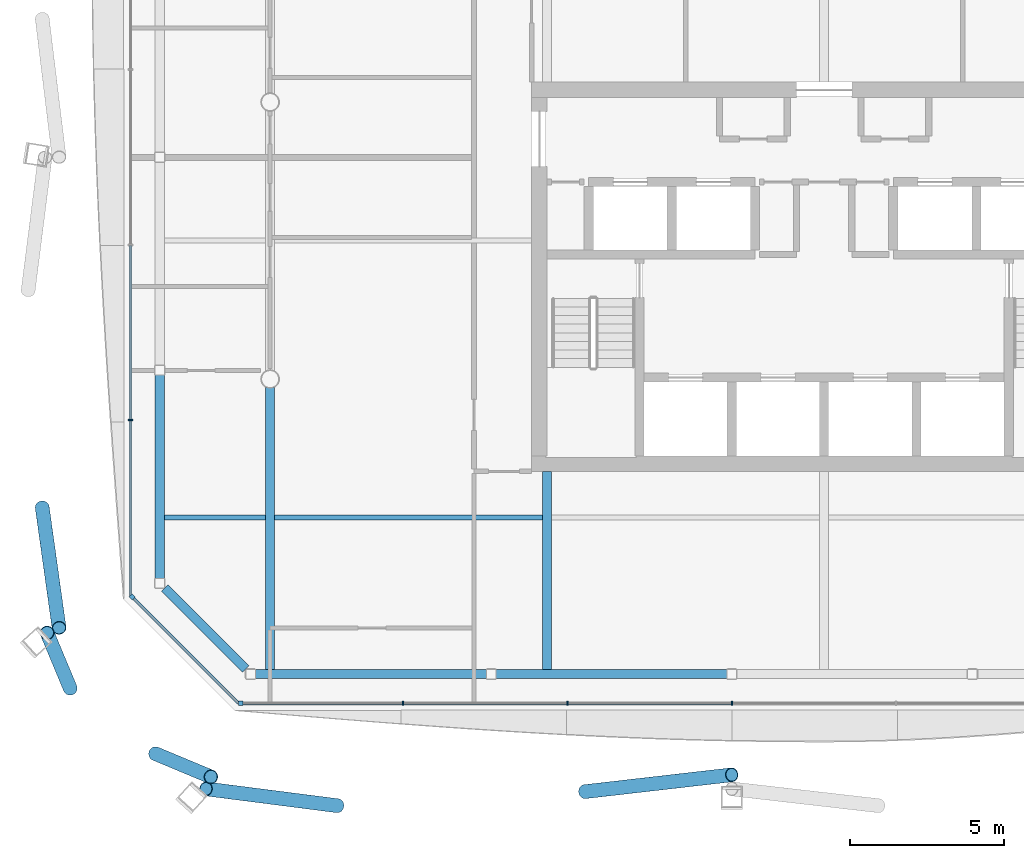
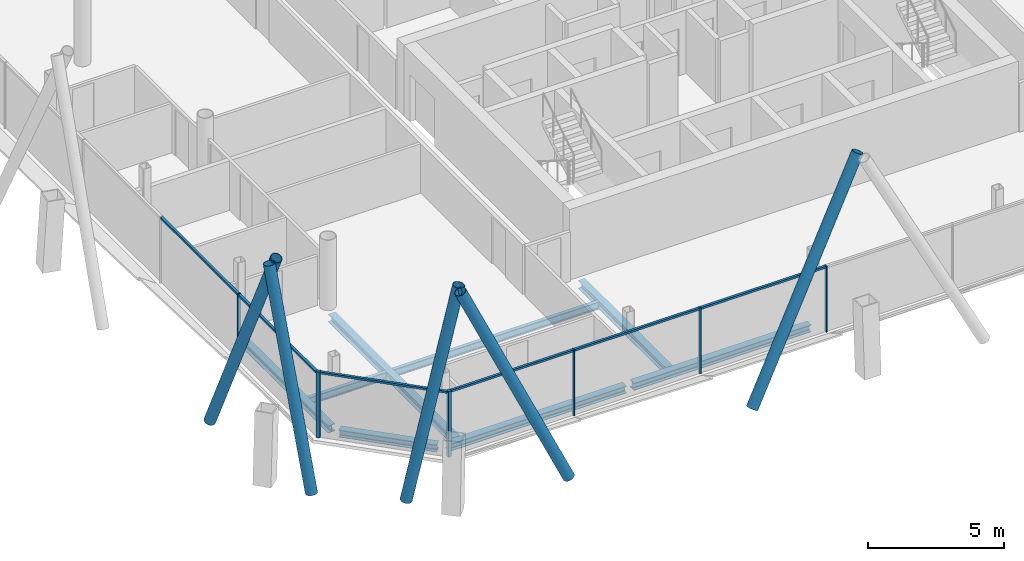
# One storey, part 4 of 20: 17 members, 8 beams, 3 elements without a shape of their own.
"""IFC4 building model written with IfcOpenShell, lengths in metres."""

from ifc_helpers import new_model, si_unit, direction, frame, origin, origin_2d, place, context, subcontext, project, spatial, rectangle, hollow_circle, i_section, extrude, material, material_profile, profile_set, type_object, element, aggregate, save


model = new_model("IFC4")

# Units and contexts
model_context = context("Model", 3, precision=1e-05, world=origin(), true_north=direction((0.0, 1.0)))
body_context = subcontext(model_context, "Body", "Model", "MODEL_VIEW")
ifc_project = project(units=[si_unit("LENGTHUNIT", "METRE"), si_unit("AREAUNIT", "SQUARE_METRE"), si_unit("VOLUMEUNIT", "CUBIC_METRE"), si_unit("PLANEANGLEUNIT", "RADIAN"), si_unit("MASSUNIT", "GRAM", prefix="KILO")], contexts=[model_context])

# Site, building, storey
site_placement = place(None, origin())
site = spatial("IfcSite", under=ifc_project, at=site_placement, CompositionType="ELEMENT")
building_placement = place(site_placement, origin())
building = spatial("IfcBuilding", under=site, at=building_placement, Name="Tskaro Facet Tower", CompositionType="ELEMENT")
storey_placement = place(building_placement, frame((0.0, 0.0, 200.550048828125)))
storey = spatial("IfcBuildingStorey", under=building, at=storey_placement, Name="L51", CompositionType="ELEMENT", Elevation=200.550048828125)

# Members
ifc_material_1 = material(Name="Steel S355J2H", Category="steel")
ifc_material_profile_1 = material_profile(ifc_material_1, hollow_circle(Radius=0.228515625, WallThickness=0.02001953125, at=origin_2d()), Name="CHS 457x20")
ifc_profile_set_1 = profile_set([ifc_material_profile_1], Name="Steel S355J2H")
member_type_1 = type_object("IfcMemberType", Name="CHS 457x20 brace", PredefinedType="BRACE", material=ifc_profile_set_1)
member_1_placement = place(storey_placement, frame((-7.771240234375, -22.404296875, 0.0), z_axis=(0.450104080643, 0.051682625849, 0.891479232946), x_axis=(-0.114074179763, 0.993472234897, 0.0)))
element("IfcMember", 1, at=member_1_placement, inside=storey, type_object=member_type_1, Name="CHS 457x20 XB01A/4", PredefinedType="BRACE", context=body_context, shape_type="SweptSolid", body=[
    extrude(hollow_circle(Radius=0.228515625, WallThickness=0.02001953125, at=origin_2d()), origin(), (0.0, 0.0, 1.0), 10.600341796875),
])
member_2_placement = place(storey_placement, frame((-15.81298828125, -22.861328125, 0.0), z_axis=(-0.411275595577, 0.05275536964, 0.909983107237), x_axis=(-0.127230108752, -0.991873227498, 0.0)))
element("IfcMember", 2, at=member_2_placement, inside=storey, type_object=member_type_1, Name="CHS 457x20 XB01B/4", PredefinedType="BRACE", context=body_context, shape_type="SweptSolid", body=[
    extrude(hollow_circle(Radius=0.228515625, WallThickness=0.02001953125, at=origin_2d()), origin(), (0.0, 0.0, 1.0), 10.384765625),
])
member_3_placement = place(storey_placement, frame((-25.404296875, -13.17138671875, 0.0), z_axis=(0.053487730814, -0.381993927816, 0.92261568476), x_axis=(0.990338691799, 0.138669663322, 0.0)))
element("IfcMember", 3, at=member_3_placement, inside=storey, type_object=member_type_1, Name="CHS 457x20 XB11A/4", PredefinedType="BRACE", context=body_context, shape_type="SweptSolid", body=[
    extrude(hollow_circle(Radius=0.228515625, WallThickness=0.02001953125, at=origin_2d()), origin(), (0.0, 0.0, 1.0), 10.24267578125),
])
for number, where, z_axis, x_axis, name in (
    (4, (-21.720458984375, -21.17333984375, 0.0), (0.186356452478, -0.077730756553, 0.979402471972), (0.384962378812, 0.922932265608, 0.0), "CHS 457x20 XB12A/4"),
    (5, (-24.49658203125, -19.04345703125, 0.0), (-0.07773112306, 0.186332028065, 0.97940708994), (-0.922913691455, -0.385006906593, 0.0), "CHS 457x20 XB12B/4"),
):
    element("IfcMember", number, at=place(storey_placement, frame(where, z_axis=z_axis, x_axis=x_axis)), inside=storey, type_object=member_type_1, Name=name, PredefinedType="BRACE", context=body_context, shape_type="SweptSolid", body=[
        extrude(hollow_circle(Radius=0.228515625, WallThickness=0.02001953125, at=origin_2d()), origin(), (0.0, 0.0, 1.0), 9.648681640625),
    ])

# Curtain wall, member
ifc_material_2 = material(Name="Bronze anodised aluminium 6063-T6", Category="aluminium")
curtain_wall_type = type_object("IfcCurtainWallType", Name="Bronze residence curtain wall (FW3)", PredefinedType="NOTDEFINED", material=ifc_material_2)
curtain_wall_1_placement = place(storey_placement, origin())
curtain_wall_1 = element("IfcCurtainWall", 6, at=curtain_wall_1_placement, inside=storey, type_object=curtain_wall_type, Name="FW3 south facet L51", PredefinedType="NOTDEFINED")
ifc_material_profile_2 = material_profile(ifc_material_2, rectangle(XDim=0.139892578125, YDim=0.139892578125, at=origin_2d()), Name="Corner post 140x140")
ifc_profile_set_2 = profile_set([ifc_material_profile_2], Name="Bronze anodised aluminium 6063-T6")
member_type_2 = type_object("IfcMemberType", Name="FW3 bronze corner post 140x140", PredefinedType="MULLION", material=ifc_profile_set_2)
member_4_placement = place(storey_placement, frame((-18.9560546875, -19.532958984375, 0.0), z_axis=(0.0, 0.0, 1.0), x_axis=(1.0, 0.0, 0.0)))
member_4 = element("IfcMember", 7, at=member_4_placement, type_object=member_type_2, Name="FW3 south corner post", PredefinedType="MULLION", context=body_context, shape_type="SweptSolid", body=[
    extrude(rectangle(XDim=0.139892578125, YDim=0.139892578125, at=origin_2d()), origin(), (0.0, 0.0, 1.0), 2.949951171875),
])

curtain_wall_2_placement = place(storey_placement, origin())
curtain_wall_2 = element("IfcCurtainWall", 8, at=curtain_wall_2_placement, inside=storey, type_object=curtain_wall_type, Name="FW3 south-west facet L51", PredefinedType="NOTDEFINED")
member_5_placement = place(storey_placement, frame((-22.4833984375, -16.075439453125, 0.0), z_axis=(0.0, 0.0, 1.0), x_axis=(0.707106781187, -0.707106781187, 0.0)))
member_5 = element("IfcMember", 9, at=member_5_placement, type_object=member_type_2, Name="FW3 south-west corner post", PredefinedType="MULLION", context=body_context, shape_type="SweptSolid", body=[
    extrude(rectangle(XDim=0.139892578125, YDim=0.139892578125, at=origin_2d()), origin(), (0.0, 0.0, 1.0), 2.949951171875),
])

# Member
ifc_material_profile_3 = material_profile(ifc_material_2, rectangle(XDim=0.050048828125, YDim=0.139892578125, at=origin_2d()), Name="Mullion 50x140")
ifc_profile_set_3 = profile_set([ifc_material_profile_3], Name="Bronze anodised aluminium 6063-T6")
member_type_3 = type_object("IfcMemberType", Name="FW3 bronze mullion 50x140", PredefinedType="MULLION", material=ifc_profile_set_3)
member_6_placement = place(storey_placement, frame((-13.68408203125, -19.532958984375, 0.0), z_axis=(0.0, 0.0, 1.0), x_axis=(1.0, 0.0, 0.0)))
member_6 = element("IfcMember", 10, at=member_6_placement, type_object=member_type_3, Name="FW3 south mullion 1", PredefinedType="MULLION", context=body_context, shape_type="SweptSolid", body=[
    extrude(rectangle(XDim=0.050048828125, YDim=0.139892578125, at=origin_2d()), origin(), (0.0, 0.0, 1.0), 2.949951171875),
])

member_7_placement = place(storey_placement, frame((-8.342041015625, -19.532958984375, 0.0), z_axis=(0.0, 0.0, 1.0), x_axis=(1.0, 0.0, 0.0)))
member_7 = element("IfcMember", 11, at=member_7_placement, type_object=member_type_3, Name="FW3 south mullion 2", PredefinedType="MULLION", context=body_context, shape_type="SweptSolid", body=[
    extrude(rectangle(XDim=0.050048828125, YDim=0.139892578125, at=origin_2d()), origin(), (0.0, 0.0, 1.0), 2.949951171875),
])

member_8_placement = place(storey_placement, frame((-3.0, -19.532958984375, 0.0), z_axis=(0.0, 0.0, 1.0), x_axis=(1.0, 0.0, 0.0)))
member_8 = element("IfcMember", 12, at=member_8_placement, type_object=member_type_3, Name="FW3 south mullion 3", PredefinedType="MULLION", context=body_context, shape_type="SweptSolid", body=[
    extrude(rectangle(XDim=0.050048828125, YDim=0.139892578125, at=origin_2d()), origin(), (0.0, 0.0, 1.0), 2.949951171875),
])

# Curtain wall, member
curtain_wall_3_placement = place(storey_placement, origin())
curtain_wall_3 = element("IfcCurtainWall", 13, at=curtain_wall_3_placement, inside=storey, type_object=curtain_wall_type, Name="FW3 west facet L51", PredefinedType="NOTDEFINED")
member_9_placement = place(storey_placement, frame((-22.532958984375, -10.3330078125, 0.0), z_axis=(0.0, 0.0, 1.0), x_axis=(0.0, -1.0, 0.0)))
member_9 = element("IfcMember", 14, at=member_9_placement, type_object=member_type_3, Name="FW3 west mullion 4", PredefinedType="MULLION", context=body_context, shape_type="SweptSolid", body=[
    extrude(rectangle(XDim=0.050048828125, YDim=0.139892578125, at=origin_2d()), origin(), (0.0, 0.0, 1.0), 2.949951171875),
])

# Member
ifc_material_profile_4 = material_profile(ifc_material_2, rectangle(XDim=0.10009765625, YDim=0.090087890625, at=origin_2d()), Name="Transom 100x90")
ifc_profile_set_4 = profile_set([ifc_material_profile_4], Name="Bronze anodised aluminium 6063-T6")
member_type_4 = type_object("IfcMemberType", Name="FW3 bronze transom 100x90", PredefinedType="USERDEFINED", material=ifc_profile_set_4)
member_10_placement = place(storey_placement, frame((-18.885986328125, -19.532958984375, 2.905029296875), z_axis=(1.0, 0.0, 0.0), x_axis=(0.0, 1.0, 0.0)))
member_10 = element("IfcMember", 15, at=member_10_placement, type_object=member_type_4, Name="FW3 south transom 1.1", ObjectType="TRANSOM", PredefinedType="USERDEFINED", context=body_context, shape_type="SweptSolid", body=[
    extrude(rectangle(XDim=0.10009765625, YDim=0.090087890625, at=origin_2d()), origin(), (0.0, 0.0, 1.0), 5.177001953125),
])

member_11_placement = place(storey_placement, frame((-13.658935546875, -19.532958984375, 2.905029296875), z_axis=(1.0, 0.0, 0.0), x_axis=(0.0, 1.0, 0.0)))
member_11 = element("IfcMember", 16, at=member_11_placement, type_object=member_type_4, Name="FW3 south transom 2.1", ObjectType="TRANSOM", PredefinedType="USERDEFINED", context=body_context, shape_type="SweptSolid", body=[
    extrude(rectangle(XDim=0.10009765625, YDim=0.090087890625, at=origin_2d()), origin(), (0.0, 0.0, 1.0), 5.2919921875),
])

member_12_placement = place(storey_placement, frame((-8.31689453125, -19.532958984375, 2.905029296875), z_axis=(1.0, 0.0, 0.0), x_axis=(0.0, 1.0, 0.0)))
member_12 = element("IfcMember", 17, at=member_12_placement, type_object=member_type_4, Name="FW3 south transom 3.1", ObjectType="TRANSOM", PredefinedType="USERDEFINED", context=body_context, shape_type="SweptSolid", body=[
    extrude(rectangle(XDim=0.10009765625, YDim=0.090087890625, at=origin_2d()), origin(), (0.0, 0.0, 1.0), 5.2919921875),
])

aggregate(curtain_wall_1, [member_4, member_6, member_7, member_8, member_10, member_11, member_12])

member_13_placement = place(storey_placement, frame((-22.532958984375, -4.6650390625, 2.905029296875), z_axis=(0.0, -1.0, 0.0), x_axis=(1.0, 0.0, 0.0)))
member_13 = element("IfcMember", 18, at=member_13_placement, type_object=member_type_4, Name="FW3 west transom 4.1", ObjectType="TRANSOM", PredefinedType="USERDEFINED", context=body_context, shape_type="SweptSolid", body=[
    extrude(rectangle(XDim=0.10009765625, YDim=0.090087890625, at=origin_2d()), origin(), (0.0, 0.0, 1.0), 5.64306640625),
])

member_14_placement = place(storey_placement, frame((-22.532958984375, -10.35791015625, 2.905029296875), z_axis=(0.0, -1.0, 0.0), x_axis=(1.0, 0.0, 0.0)))
member_14 = element("IfcMember", 19, at=member_14_placement, type_object=member_type_4, Name="FW3 west transom 5.1", ObjectType="TRANSOM", PredefinedType="USERDEFINED", context=body_context, shape_type="SweptSolid", body=[
    extrude(rectangle(XDim=0.10009765625, YDim=0.090087890625, at=origin_2d()), origin(), (0.0, 0.0, 1.0), 5.66796875),
])

aggregate(curtain_wall_3, [member_9, member_13, member_14])

member_15_placement = place(storey_placement, frame((-22.43408203125, -16.125, 2.905029296875), z_axis=(0.707132107814, -0.707081453652, 0.0), x_axis=(0.707081453652, 0.707132107814, 0.0)))
member_15 = element("IfcMember", 20, at=member_15_placement, type_object=member_type_4, Name="FW3 south-west transom 1.1", ObjectType="TRANSOM", PredefinedType="USERDEFINED", context=body_context, shape_type="SweptSolid", body=[
    extrude(rectangle(XDim=0.10009765625, YDim=0.090087890625, at=origin_2d()), origin(), (0.0, 0.0, 1.0), 4.81982421875),
])

aggregate(curtain_wall_2, [member_5, member_15])

# Beams
ifc_material_3 = material(Name="Steel S355J2", Category="steel")
ifc_material_profile_5 = material_profile(ifc_material_3, i_section(OverallWidth=0.300048828125, OverallDepth=0.320068359375, WebThickness=0.011474609375, FlangeThickness=0.0205078125, FilletRadius=0.027099609375, at=origin_2d()), Name="HE 320 B")
ifc_profile_set_5 = profile_set([ifc_material_profile_5], Name="Steel S355J2")
beam_type_1 = type_object("IfcBeamType", Name="HE 320 B ring beam", PredefinedType="BEAM", material=ifc_profile_set_5)
beam_1_placement = place(storey_placement, frame((-18.47802734375, -18.5830078125, -0.300048828125), z_axis=(1.0, 0.0, 0.0), x_axis=(0.0, 1.0, 0.0)))
element("IfcBeam", 21, at=beam_1_placement, inside=storey, type_object=beam_type_1, Name="HE 320 B EB1-4", PredefinedType="BEAM", context=body_context, shape_type="SweptSolid", body=[
    extrude(i_section(OverallWidth=0.300048828125, OverallDepth=0.320068359375, WebThickness=0.011474609375, FlangeThickness=0.0205078125, FilletRadius=0.027099609375, at=origin_2d()), origin(), (0.0, 0.0, 1.0), 7.507080078125),
])
beam_2_placement = place(storey_placement, frame((-10.660888671875, -18.5830078125, -0.300048828125), z_axis=(1.0, 0.0, 0.0), x_axis=(0.0, 1.0, 0.0)))
element("IfcBeam", 22, at=beam_2_placement, inside=storey, type_object=beam_type_1, Name="HE 320 B EB2-4", PredefinedType="BEAM", context=body_context, shape_type="SweptSolid", body=[
    extrude(i_section(OverallWidth=0.300048828125, OverallDepth=0.320068359375, WebThickness=0.011474609375, FlangeThickness=0.0205078125, FilletRadius=0.027099609375, at=origin_2d()), origin(), (0.0, 0.0, 1.0), 7.505859375),
])
beam_3_placement = place(storey_placement, frame((-21.5830078125, -8.867919921875, -0.300048828125), z_axis=(0.0, -1.0, 0.0), x_axis=(1.0, 0.0, 0.0)))
element("IfcBeam", 23, at=beam_3_placement, inside=storey, type_object=beam_type_1, Name="HE 320 B EB20-4", PredefinedType="BEAM", context=body_context, shape_type="SweptSolid", body=[
    extrude(i_section(OverallWidth=0.300048828125, OverallDepth=0.320068359375, WebThickness=0.011474609375, FlangeThickness=0.0205078125, FilletRadius=0.027099609375, at=origin_2d()), origin(), (0.0, 0.0, 1.0), 6.610107421875),
])
beam_4_placement = place(storey_placement, frame((-21.422119140625, -15.7939453125, -0.300048828125), z_axis=(0.707106781187, -0.707106781187, 0.0), x_axis=(0.707106781187, 0.707106781187, 0.0)))
element("IfcBeam", 24, at=beam_4_placement, inside=storey, type_object=beam_type_1, Name="HE 320 B EB21-4", PredefinedType="BEAM", context=body_context, shape_type="SweptSolid", body=[
    extrude(i_section(OverallWidth=0.300048828125, OverallDepth=0.320068359375, WebThickness=0.011474609375, FlangeThickness=0.0205078125, FilletRadius=0.027099609375, at=origin_2d()), origin(), (0.0, 0.0, 1.0), 3.716796875),
])
ifc_material_profile_6 = material_profile(ifc_material_3, i_section(OverallWidth=0.300048828125, OverallDepth=0.35009765625, WebThickness=0.010009765625, FlangeThickness=0.017578125, FilletRadius=0.027099609375, at=origin_2d()), Name="HE 360 A")
ifc_profile_set_6 = profile_set([ifc_material_profile_6], Name="Steel S355J2")
beam_type_2 = type_object("IfcBeamType", Name="HE 360 A girder", PredefinedType="BEAM", material=ifc_profile_set_6)
beam_5_placement = place(storey_placement, frame((-18.0, -18.43310546875, -0.31494140625), z_axis=(0.0, 1.0, 0.0), x_axis=(-1.0, 0.0, 0.0)))
element("IfcBeam", 25, at=beam_5_placement, inside=storey, type_object=beam_type_2, Name="HE 360 A GB2-1-4", PredefinedType="BEAM", context=body_context, shape_type="SweptSolid", body=[
    extrude(i_section(OverallWidth=0.300048828125, OverallDepth=0.35009765625, WebThickness=0.010009765625, FlangeThickness=0.017578125, FilletRadius=0.027099609375, at=origin_2d()), origin(), (0.0, 0.0, 1.0), 9.158203125),
])
beam_6_placement = place(storey_placement, frame((-9.0, -18.43310546875, -0.31494140625), z_axis=(0.0, 1.0, 0.0), x_axis=(-1.0, 0.0, 0.0)))
element("IfcBeam", 26, at=beam_6_placement, inside=storey, type_object=beam_type_2, Name="HE 360 A GB3-1-4", PredefinedType="BEAM", context=body_context, shape_type="SweptSolid", body=[
    extrude(i_section(OverallWidth=0.300048828125, OverallDepth=0.35009765625, WebThickness=0.010009765625, FlangeThickness=0.017578125, FilletRadius=0.027099609375, at=origin_2d()), origin(), (0.0, 0.0, 1.0), 6.43310546875),
])
ifc_material_profile_7 = material_profile(ifc_material_3, i_section(OverallWidth=0.159912109375, OverallDepth=0.330078125, WebThickness=0.007568359375, FlangeThickness=0.011474609375, FilletRadius=0.01806640625, at=origin_2d()), Name="IPE 330")
ifc_profile_set_7 = profile_set([ifc_material_profile_7], Name="Steel S355J2")
beam_type_3 = type_object("IfcBeamType", Name="IPE 330 secondary beam", PredefinedType="BEAM", material=ifc_profile_set_7)
beam_7_placement = place(storey_placement, frame((-21.43310546875, -13.5, -0.304931640625), z_axis=(1.0, 0.0, 0.0), x_axis=(0.0, 1.0, 0.0)))
element("IfcBeam", 27, at=beam_7_placement, inside=storey, type_object=beam_type_3, Name="IPE 330 SB2a-1-4", PredefinedType="BEAM", context=body_context, shape_type="SweptSolid", body=[
    extrude(i_section(OverallWidth=0.159912109375, OverallDepth=0.330078125, WebThickness=0.007568359375, FlangeThickness=0.011474609375, FilletRadius=0.01806640625, at=origin_2d()), origin(), (0.0, 0.0, 1.0), 3.283203125),
])
beam_8_placement = place(storey_placement, frame((-17.85009765625, -13.5, -0.304931640625), z_axis=(1.0, 0.0, 0.0), x_axis=(0.0, 1.0, 0.0)))
element("IfcBeam", 28, at=beam_8_placement, inside=storey, type_object=beam_type_3, Name="IPE 330 SB2a-2-4", PredefinedType="BEAM", context=body_context, shape_type="SweptSolid", body=[
    extrude(i_section(OverallWidth=0.159912109375, OverallDepth=0.330078125, WebThickness=0.007568359375, FlangeThickness=0.011474609375, FilletRadius=0.01806640625, at=origin_2d()), origin(), (0.0, 0.0, 1.0), 8.7001953125),
])

save(model, "model.ifc")
